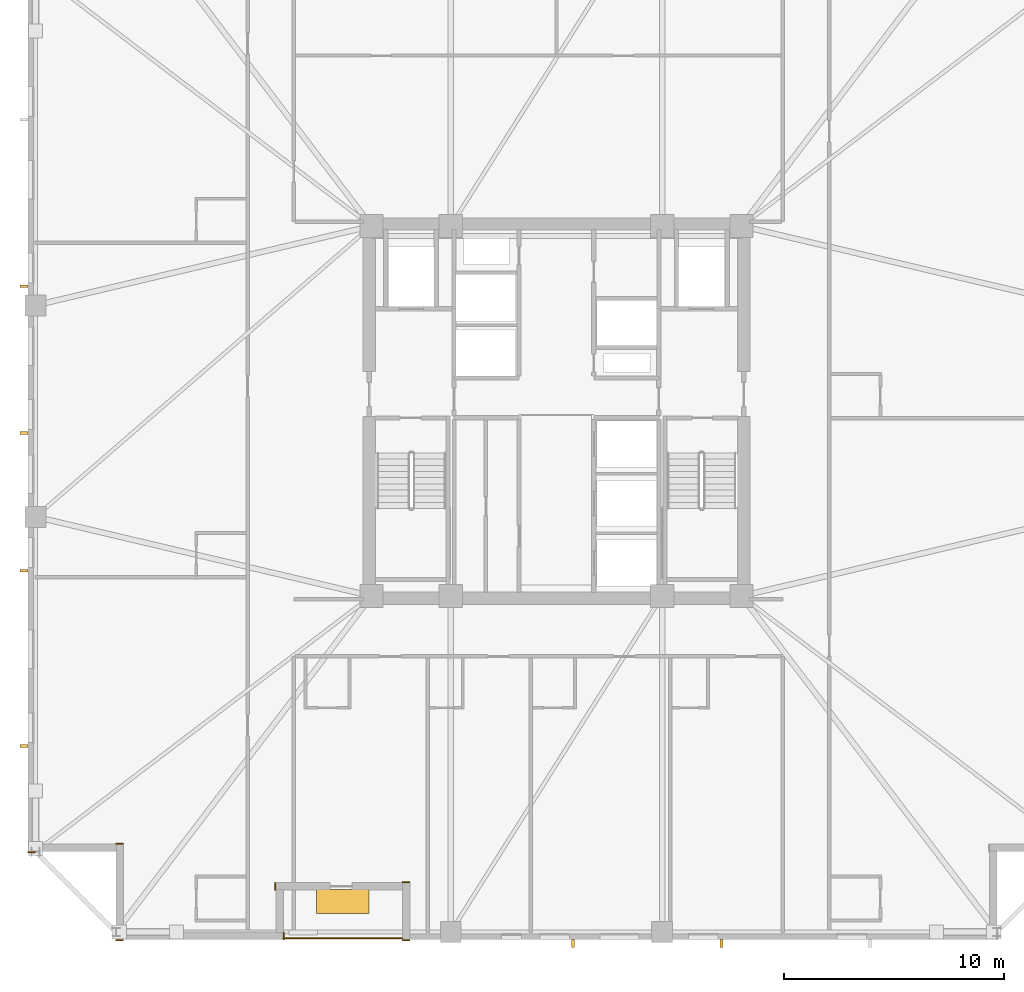
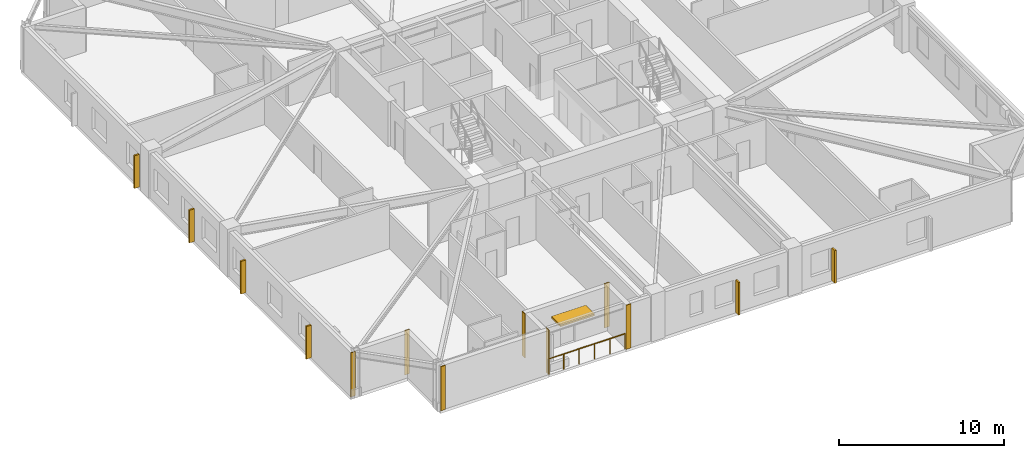
# One storey, part 7 of 11: 7 coverings, 7 shading devices, 1 railing.
"""IFC4 building model written with IfcOpenShell, lengths in metres."""

from ifc_helpers import new_model, si_unit, direction, frame, frame_2d, origin, origin_2d, place, context, subcontext, project, spatial, rectangle, circle, extrude, material, layer, layer_set, type_object, element, save


model = new_model("IFC4")

# Units and contexts
model_context = context("Model", 3, precision=1e-05, world=origin(), true_north=direction((0.0, 1.0)))
body_context = subcontext(model_context, "Body", "Model", "MODEL_VIEW")
ifc_project = project(units=[si_unit("LENGTHUNIT", "METRE"), si_unit("AREAUNIT", "SQUARE_METRE"), si_unit("VOLUMEUNIT", "CUBIC_METRE"), si_unit("PLANEANGLEUNIT", "RADIAN"), si_unit("MASSUNIT", "GRAM", prefix="KILO")], contexts=[model_context])

# Site, building, storey
site_placement = place(None, origin())
site = spatial("IfcSite", under=ifc_project, at=site_placement, CompositionType="ELEMENT")
building_placement = place(site_placement, origin())
building = spatial("IfcBuilding", under=site, at=building_placement, Name="Cairnveth Concourse Tower", CompositionType="ELEMENT")
storey_placement = place(building_placement, frame((0.0, 0.0, 141.0)))
storey = spatial("IfcBuildingStorey", under=building, at=storey_placement, Name="L38", CompositionType="ELEMENT", Elevation=141.0)

# Coverings
ifc_material_1 = material(Name="Dressed Melbourne Bluestone Cladding", Category="masonry")
ifc_layer = layer(ifc_material_1, 0.050048828125)
ifc_layer_set = layer_set([ifc_layer], Name="Dressed Melbourne Bluestone Cladding")
covering_type = type_object("IfcCoveringType", Name="DRESSED BLUESTONE PLINTH CLADDING 50", PredefinedType="CLADDING", material=ifc_layer_set)
for number, where, z_axis, x_axis, name in (
    (1, (39.6201171875, 15.340087890625, 0.0), (0.0, 0.0, 1.0), (0.0, -1.0, 0.0), "Melbourne Bluestone Corner Quoin L38-547"),
    (2, (32.340087890625, 14.97998046875, 0.0), (0.0, 0.0, 1.0), (-1.0, 0.0, 0.0), "Melbourne Bluestone Corner Quoin L38-548"),
    (3, (32.340087890625, 19.360107421875, 0.0), (0.0, 0.0, 1.0), (-1.0, 0.0, 0.0), "Melbourne Bluestone Corner Quoin L38-549"),
    (4, (28.340087890625, 18.97998046875, 0.0), (0.0, 0.0, 1.0), (-1.0, 0.0, 0.0), "Melbourne Bluestone Corner Quoin L38-550"),
    (5, (45.340087890625, 14.97998046875, 0.0), (0.0, 0.0, 1.0), (-1.0, 0.0, 0.0), "Melbourne Bluestone Corner Quoin L38-560"),
    (6, (45.340087890625, 17.610107421875, 0.0), (0.0, 0.0, 1.0), (-1.0, 0.0, 0.0), "Melbourne Bluestone Corner Quoin L38-561"),
    (7, (39.239990234375, 17.590087890625, 0.0), (0.0, 0.0, 1.0), (0.0, -1.0, 0.0), "Melbourne Bluestone Corner Quoin L38-562"),
):
    element("IfcCovering", number, at=place(storey_placement, frame(where, z_axis=z_axis, x_axis=x_axis)), inside=storey, type_object=covering_type, Name=name, PredefinedType="CLADDING", context=body_context, shape_type="SweptSolid", body=[
        extrude(rectangle(XDim=0.340087890625, YDim=0.050048828125, at=frame_2d((0.169921875, 0.0))), origin(), (0.0, 0.0, 1.0), 3.280029296875),
    ])

# Shading devices
ifc_material_2 = material(Name="Architectural Bronze Anodised Aluminium 6063-T6", Category="aluminium")
shading_device_type_1 = type_object("IfcShadingDeviceType", Name="GOTHIC BRONZE VERTICAL LANCET FIN", PredefinedType="USERDEFINED", material=ifc_material_2)
for number, where, z_axis, x_axis, name in (
    (8, (27.824951171875, 23.791748046875, 0.030029296875), (0.0, 0.0, 1.0), (0.0, 1.0, 0.0), "Gothic Bronze Vertical Fin L38-3-1"),
    (9, (27.824951171875, 31.748779296875, 0.030029296875), (0.0, 0.0, 1.0), (0.0, 1.0, 0.0), "Gothic Bronze Vertical Fin L38-3-3"),
    (10, (27.824951171875, 38.006103515625, 0.030029296875), (0.0, 0.0, 1.0), (0.0, 1.0, 0.0), "Gothic Bronze Vertical Fin L38-3-5"),
    (11, (27.824951171875, 44.6630859375, 0.030029296875), (0.0, 0.0, 1.0), (0.0, 1.0, 0.0), "Gothic Bronze Vertical Fin L38-3-7"),
    (12, (59.493896484375, 14.824951171875, 0.030029296875), (0.0, 0.0, 1.0), (1.0, 0.0, 0.0), "Gothic Bronze Vertical Fin L38-12-3"),
    (13, (52.751220703125, 14.824951171875, 0.030029296875), (0.0, 0.0, 1.0), (1.0, 0.0, 0.0), "Gothic Bronze Vertical Fin L38-12-5"),
):
    element("IfcShadingDevice", number, at=place(storey_placement, frame(where, z_axis=z_axis, x_axis=x_axis)), inside=storey, type_object=shading_device_type_1, Name=name, ObjectType="VERTICAL FIN", PredefinedType="USERDEFINED", context=body_context, shape_type="SweptSolid", body=[
        extrude(rectangle(XDim=0.1201171875, YDim=0.360107421875, at=origin_2d()), origin(), (0.0, 0.0, 1.0), 2.419921875),
    ])
shading_device_type_2 = type_object("IfcShadingDeviceType", Name="SPIRAL TERRACE SUNSHADE CANOPY", PredefinedType="USERDEFINED", material=ifc_material_2)
shading_device_placement = place(storey_placement, frame((42.300048828125, 16.72998046875, 2.300048828125), z_axis=(0.0, 0.0, 1.0), x_axis=(1.0, 0.0, 0.0)))
element("IfcShadingDevice", 14, at=shading_device_placement, inside=storey, type_object=shading_device_type_2, Name="Spiral Terrace Sunshade L38", ObjectType="TERRACE SUNSHADE", PredefinedType="USERDEFINED", context=body_context, shape_type="SweptSolid", body=[
    extrude(rectangle(XDim=2.39990234375, YDim=1.10009765625, at=origin_2d()), origin(), (0.0, 0.0, 1.0), 0.1201171875),
])

# Railing
railing_type = type_object("IfcRailingType", Name="TERRACE BRONZE BALUSTRADE 1150", PredefinedType="BALUSTRADE", material=ifc_material_2)
railing_placement = place(storey_placement, frame((39.60009765625, 15.06005859375, 0.0)))
element("IfcRailing", 15, at=railing_placement, inside=storey, type_object=railing_type, Name="Terrace Balustrade RL-L38-TERR", PredefinedType="BALUSTRADE", context=body_context, shape_type="SweptSolid", body=[
    extrude(circle(Radius=0.02490234375, at=origin_2d()), frame((0.0, 0.0, 1.125), z_axis=(1.0, 0.0, 0.0), x_axis=(0.0, 1.0, 0.0)), (0.0, 0.0, 1.0), 5.39990234375),
    extrude(circle(Radius=0.02099609375, at=origin_2d()), origin(), (0.0, 0.0, 1.0), 1.099853515625),
    extrude(circle(Radius=0.02099609375, at=origin_2d()), frame((1.080078125, 0.0, 0.0)), (0.0, 0.0, 1.0), 1.099853515625),
    extrude(circle(Radius=0.02099609375, at=origin_2d()), frame((2.159912109375, 0.0, 0.0)), (0.0, 0.0, 1.0), 1.099853515625),
    extrude(circle(Radius=0.02099609375, at=origin_2d()), frame((3.239990234375, 0.0, 0.0)), (0.0, 0.0, 1.0), 1.099853515625),
    extrude(circle(Radius=0.02099609375, at=origin_2d()), frame((4.31982421875, 0.0, 0.0)), (0.0, 0.0, 1.0), 1.099853515625),
    extrude(circle(Radius=0.02099609375, at=origin_2d()), frame((5.39990234375, 0.0, 0.0)), (0.0, 0.0, 1.0), 1.099853515625),
])

save(model, "model.ifc")
